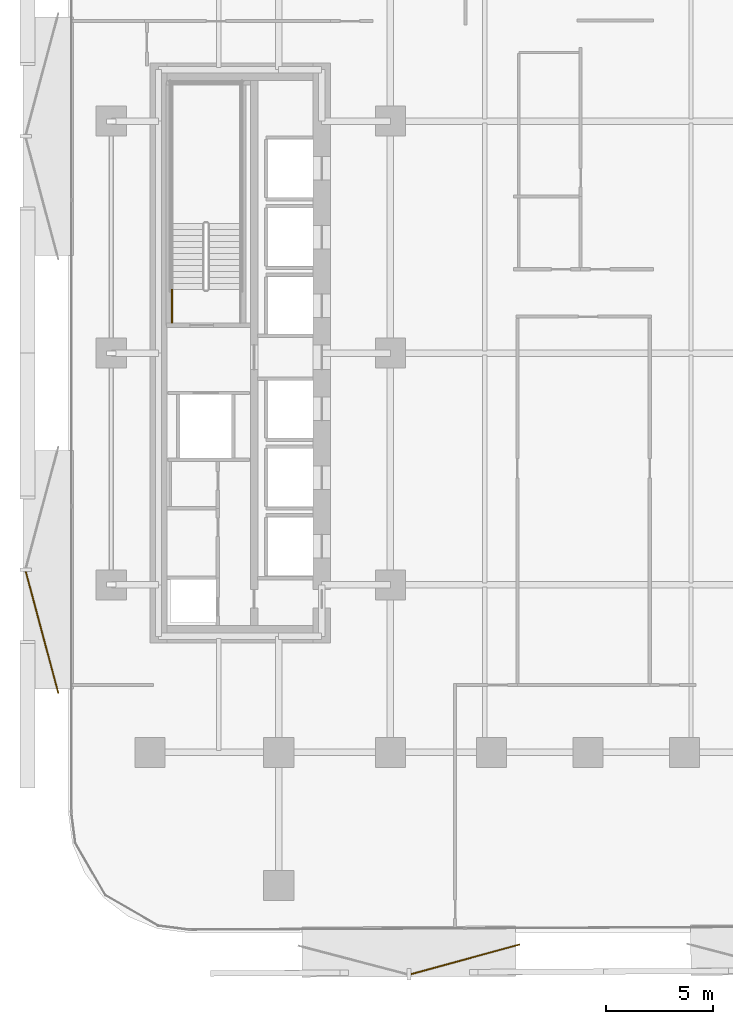
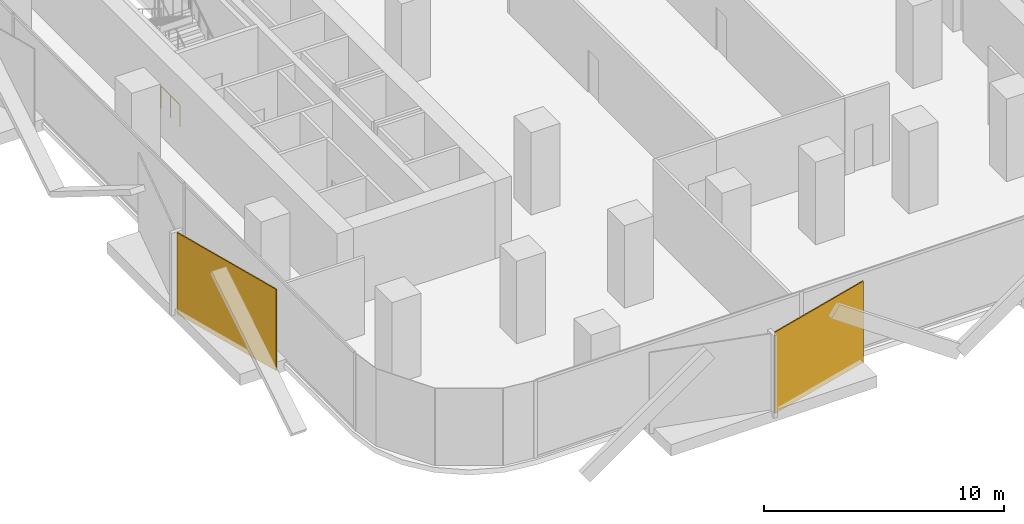
# One storey, part 11 of 15: 2 coverings, 1 railing.
"""IFC4 building model written with IfcOpenShell, lengths in metres."""

from ifc_helpers import new_model, si_unit, direction, frame, origin, origin_2d, place, context, subcontext, project, spatial, rectangle, circle, extrude, material, layer, layer_set, type_object, element, save


model = new_model("IFC4")

# Units and contexts
model_context = context("Model", 3, precision=1e-05, world=origin(), true_north=direction((0.0, 1.0)))
body_context = subcontext(model_context, "Body", "Model", "MODEL_VIEW")
ifc_project = project(units=[si_unit("LENGTHUNIT", "METRE"), si_unit("AREAUNIT", "SQUARE_METRE"), si_unit("VOLUMEUNIT", "CUBIC_METRE"), si_unit("PLANEANGLEUNIT", "RADIAN"), si_unit("MASSUNIT", "GRAM", prefix="KILO")], contexts=[model_context])

# Site, building, storey
site_placement = place(None, origin())
site = spatial("IfcSite", under=ifc_project, at=site_placement, CompositionType="ELEMENT")
building_placement = place(site_placement, origin())
building = spatial("IfcBuilding", under=site, at=building_placement, Name="Khairoan Windgate Tower", CompositionType="ELEMENT")
storey_placement = place(building_placement, frame((0.0, 0.0, 38.60009765625)))
storey = spatial("IfcBuildingStorey", under=building, at=storey_placement, Name="L09", CompositionType="ELEMENT", Elevation=38.60009765625)

# Coverings
ifc_material_1 = material(Name="Anodised Bronze Aluminium 6063-T6", Category="aluminium")
ifc_layer = layer(ifc_material_1, 0.054931640625, Name="Anodised Bronze Aluminium 6063-T6")
ifc_layer_set = layer_set([ifc_layer], Name="Anodised Bronze Aluminium 6063-T6")
covering_type = type_object("IfcCoveringType", Name="Perforated Bronze-Ceramic Folded Solar Screen Cladding BSC-1", PredefinedType="CLADDING", material=ifc_layer_set)
covering_1_placement = place(storey_placement, frame((-5.70751953125, -28.238037109375, -0.10009765625), z_axis=(0.0, 0.0, 1.0), x_axis=(-0.964649468762, -0.263536339841, 0.0)))
element("IfcCovering", 1, at=covering_1_placement, inside=storey, type_object=covering_type, Name="L09 Folded Bronze Solar Screen Facet 26L", PredefinedType="CLADDING", context=body_context, shape_type="SweptSolid", body=[
    extrude(rectangle(XDim=5.25, YDim=0.054931640625, at=origin_2d()), origin(), (0.0, 0.0, 1.0), 4.139892578125),
])
covering_2_placement = place(storey_placement, frame((-25.42236328125, -13.01318359375, -0.10009765625), z_axis=(0.0, 0.0, 1.0), x_axis=(-0.258819045103, 0.965925826289, 0.0)))
element("IfcCovering", 2, at=covering_2_placement, inside=storey, type_object=covering_type, Name="L09 Folded Bronze Solar Screen Facet 27L", PredefinedType="CLADDING", context=body_context, shape_type="SweptSolid", body=[
    extrude(rectangle(XDim=5.85498046875, YDim=0.054931640625, at=origin_2d()), origin(), (0.0, 0.0, 1.0), 4.139892578125),
])

# Railing
ifc_material_2 = material(Name="Steel S355", Category="steel")
railing_type = type_object("IfcRailingType", Name="Stairwell Safety Guardrail SGR-1150", PredefinedType="GUARDRAIL", material=ifc_material_2)
railing_placement = place(storey_placement, frame((-19.3701171875, 1.39990234375, 0.0)))
element("IfcRailing", 3, at=railing_placement, inside=storey, type_object=railing_type, Name="L09 ST2 stair guard 9", PredefinedType="GUARDRAIL", context=body_context, shape_type="SweptSolid", body=[
    extrude(circle(Radius=0.02392578125, at=origin_2d()), frame((0.0, 0.0, 1.1259765625), z_axis=(0.0, 1.0, 0.0), x_axis=(-1.0, 0.0, 0.0)), (0.0, 0.0, 1.0), 1.56005859375),
    extrude(circle(Radius=0.02099609375, at=origin_2d()), origin(), (0.0, 0.0, 1.0), 1.101806640625),
    extrude(circle(Radius=0.02099609375, at=origin_2d()), frame((0.0, 0.780029296875, 0.0)), (0.0, 0.0, 1.0), 1.101806640625),
    extrude(circle(Radius=0.02099609375, at=origin_2d()), frame((0.0, 1.56005859375, 0.0)), (0.0, 0.0, 1.0), 1.101806640625),
])

save(model, "model.ifc")
